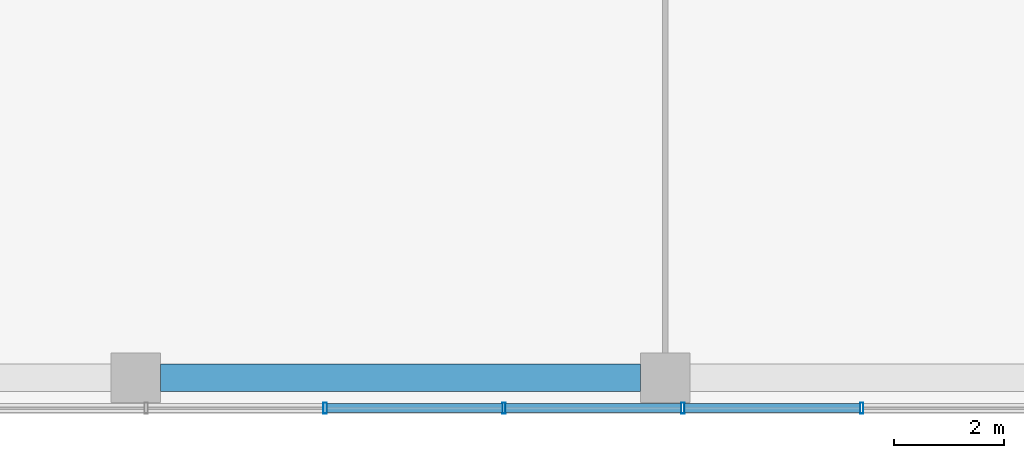
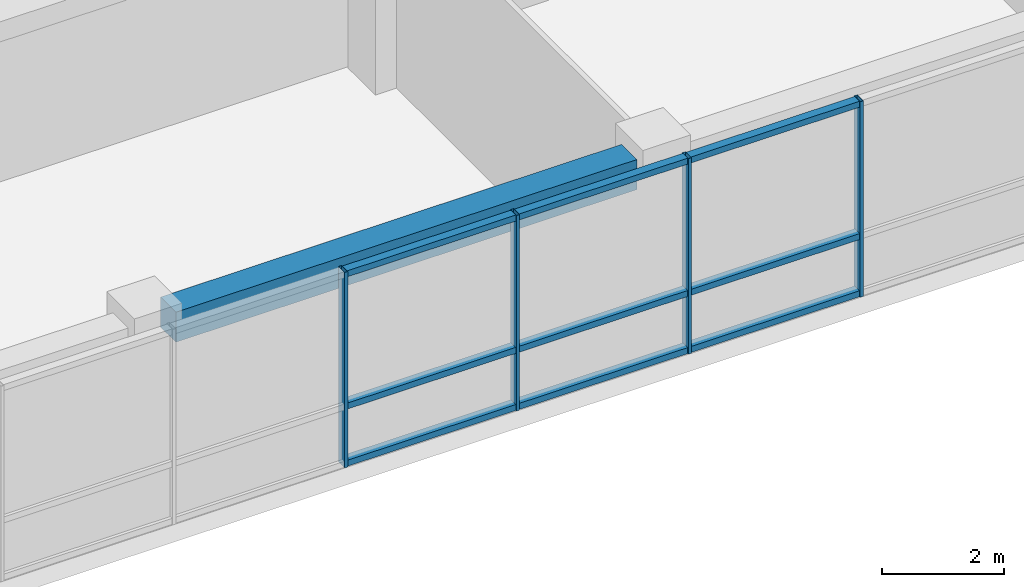
# One storey, part 11 of 72: 13 members, 1 beam, 1 element without a shape of its own.
"""IFC4 building model written with IfcOpenShell, lengths in metres."""

from ifc_helpers import new_model, si_unit, direction, frame, origin, origin_2d, place, context, subcontext, project, spatial, rectangle, hollow_rectangle, extrude, material, layer, layer_set, material_profile, profile_set, type_object, element, aggregate, save


model = new_model("IFC4")

# Units and contexts
model_context = context("Model", 3, precision=1e-05, world=origin(), true_north=direction((0.0, 1.0)))
body_context = subcontext(model_context, "Body", "Model", "MODEL_VIEW")
ifc_project = project(units=[si_unit("LENGTHUNIT", "METRE"), si_unit("AREAUNIT", "SQUARE_METRE"), si_unit("VOLUMEUNIT", "CUBIC_METRE"), si_unit("PLANEANGLEUNIT", "RADIAN"), si_unit("MASSUNIT", "GRAM", prefix="KILO")], contexts=[model_context])

# Site, building, storey
site_placement = place(None, origin())
site = spatial("IfcSite", under=ifc_project, at=site_placement, CompositionType="ELEMENT")
building_placement = place(site_placement, origin())
building = spatial("IfcBuilding", under=site, at=building_placement, Name="Nzadi Deep Aquarium and Research Tower", CompositionType="ELEMENT")
storey_placement = place(building_placement, frame((0.0, 0.0, 31.89990234375)))
storey = spatial("IfcBuildingStorey", under=building, at=storey_placement, Name="L05", CompositionType="ELEMENT", Elevation=31.89990234375)

# Curtain wall, members
ifc_material_1 = material(Name="Aluminium unitised frame", Category="aluminium")
ifc_layer = layer(ifc_material_1, 0.199951171875)
ifc_layer_set = layer_set([ifc_layer], Name="Aluminium unitised frame")
curtain_wall_type = type_object("IfcCurtainWallType", Name="Curtain wall Unitised 200", PredefinedType="NOTDEFINED", material=ifc_layer_set)
curtain_wall_placement = place(storey_placement, origin())
curtain_wall = element("IfcCurtainWall", 1, at=curtain_wall_placement, inside=storey, type_object=curtain_wall_type, Name="Unitised curtain wall blade A south L05", PredefinedType="NOTDEFINED")
ifc_material_2 = material(Name="Aluminium unitised frame", Category="aluminium")
ifc_material_profile_1 = material_profile(ifc_material_2, hollow_rectangle(XDim=0.199951171875, YDim=0.06005859375, WallThickness=0.0048828125, at=origin_2d()))
ifc_profile_set_1 = profile_set([ifc_material_profile_1], Name="Aluminium unitised frame")
member_type_1 = type_object("IfcMemberType", Name="Mullion 60x200 Unitised", PredefinedType="MULLION", material=ifc_profile_set_1)
member_1_placement = place(storey_placement, frame((32.2333984375, -0.10009765625, 0.0), z_axis=(0.0, 0.0, 1.0), x_axis=(0.0, 1.0, 0.0)))
member_1 = element("IfcMember", 2, at=member_1_placement, type_object=member_type_1, Name="CW001 mullion 11", PredefinedType="MULLION", context=body_context, shape_type="SweptSolid", body=[
    extrude(hollow_rectangle(XDim=0.199951171875, YDim=0.06005859375, WallThickness=0.0048828125, at=origin_2d()), origin(), (0.0, 0.0, 1.0), 3.900146484375),
])
member_2_placement = place(storey_placement, frame((35.4765625, -0.10009765625, 0.0), z_axis=(0.0, 0.0, 1.0), x_axis=(0.0, 1.0, 0.0)))
member_2 = element("IfcMember", 3, at=member_2_placement, type_object=member_type_1, Name="CW001 mullion 12", PredefinedType="MULLION", context=body_context, shape_type="SweptSolid", body=[
    extrude(hollow_rectangle(XDim=0.199951171875, YDim=0.06005859375, WallThickness=0.0048828125, at=origin_2d()), origin(), (0.0, 0.0, 1.0), 3.900146484375),
])
member_3_placement = place(storey_placement, frame((38.719970703125, -0.10009765625, 0.0), z_axis=(0.0, 0.0, 1.0), x_axis=(0.0, 1.0, 0.0)))
member_3 = element("IfcMember", 4, at=member_3_placement, type_object=member_type_1, Name="CW001 mullion 13", PredefinedType="MULLION", context=body_context, shape_type="SweptSolid", body=[
    extrude(hollow_rectangle(XDim=0.199951171875, YDim=0.06005859375, WallThickness=0.0048828125, at=origin_2d()), origin(), (0.0, 0.0, 1.0), 3.900146484375),
])
member_4_placement = place(storey_placement, frame((41.96337890625, -0.10009765625, 0.0), z_axis=(0.0, 0.0, 1.0), x_axis=(0.0, 1.0, 0.0)))
member_4 = element("IfcMember", 5, at=member_4_placement, type_object=member_type_1, Name="CW001 mullion 14", PredefinedType="MULLION", context=body_context, shape_type="SweptSolid", body=[
    extrude(hollow_rectangle(XDim=0.199951171875, YDim=0.06005859375, WallThickness=0.0048828125, at=origin_2d()), origin(), (0.0, 0.0, 1.0), 3.900146484375),
])

# Beam
ifc_material_3 = material(Name="Concrete C35/45", Category="concrete")
ifc_material_profile_2 = material_profile(ifc_material_3, rectangle(XDim=0.5, YDim=0.60009765625, at=origin_2d()))
ifc_profile_set_2 = profile_set([ifc_material_profile_2], Name="Concrete C35/45")
beam_type = type_object("IfcBeamType", Name="RC 500x600", PredefinedType="BEAM", material=ifc_profile_set_2)
beam_placement = place(storey_placement, frame((29.25, 0.449951171875, 3.60009765625), z_axis=(1.0, 0.0, 0.0), x_axis=(0.0, 1.0, 0.0)))
element("IfcBeam", 6, at=beam_placement, inside=storey, type_object=beam_type, Name="B-Z1-L05-L1-4", PredefinedType="BEAM", context=body_context, shape_type="SweptSolid", body=[
    extrude(rectangle(XDim=0.5, YDim=0.60009765625, at=origin_2d()), origin(), (0.0, 0.0, 1.0), 8.699951171875),
])

# Member
ifc_material_4 = material(Name="Aluminium unitised frame", Category="aluminium")
ifc_material_profile_3 = material_profile(ifc_material_4, hollow_rectangle(XDim=0.159912109375, YDim=0.1201171875, WallThickness=0.0048828125, at=origin_2d()))
ifc_profile_set_3 = profile_set([ifc_material_profile_3], Name="Aluminium unitised frame")
member_type_2 = type_object("IfcMemberType", Name="Transom 120x160 Unitised", PredefinedType="MULLION", material=ifc_profile_set_3)
member_5_placement = place(storey_placement, frame((32.263427734375, -0.10009765625, 0.06005859375), z_axis=(1.0, 0.0, 0.0), x_axis=(0.0, 1.0, 0.0)))
member_5 = element("IfcMember", 7, at=member_5_placement, type_object=member_type_2, Name="CW001 transom 11.1", PredefinedType="MULLION", context=body_context, shape_type="SweptSolid", body=[
    extrude(hollow_rectangle(XDim=0.159912109375, YDim=0.1201171875, WallThickness=0.0048828125, at=origin_2d()), origin(), (0.0, 0.0, 1.0), 3.183349609375),
])

member_6_placement = place(storey_placement, frame((32.263427734375, -0.10009765625, 1.2001953125), z_axis=(1.0, 0.0, 0.0), x_axis=(0.0, 1.0, 0.0)))
member_6 = element("IfcMember", 8, at=member_6_placement, type_object=member_type_2, Name="CW001 transom 11.2", PredefinedType="MULLION", context=body_context, shape_type="SweptSolid", body=[
    extrude(hollow_rectangle(XDim=0.159912109375, YDim=0.1201171875, WallThickness=0.0048828125, at=origin_2d()), origin(), (0.0, 0.0, 1.0), 3.183349609375),
])

member_7_placement = place(storey_placement, frame((32.263427734375, -0.10009765625, 3.840087890625), z_axis=(1.0, 0.0, 0.0), x_axis=(0.0, 1.0, 0.0)))
member_7 = element("IfcMember", 9, at=member_7_placement, type_object=member_type_2, Name="CW001 transom 11.3", PredefinedType="MULLION", context=body_context, shape_type="SweptSolid", body=[
    extrude(hollow_rectangle(XDim=0.159912109375, YDim=0.1201171875, WallThickness=0.0048828125, at=origin_2d()), origin(), (0.0, 0.0, 1.0), 3.183349609375),
])

member_8_placement = place(storey_placement, frame((35.506591796875, -0.10009765625, 0.06005859375), z_axis=(1.0, 0.0, 0.0), x_axis=(0.0, 1.0, 0.0)))
member_8 = element("IfcMember", 10, at=member_8_placement, type_object=member_type_2, Name="CW001 transom 12.1", PredefinedType="MULLION", context=body_context, shape_type="SweptSolid", body=[
    extrude(hollow_rectangle(XDim=0.159912109375, YDim=0.1201171875, WallThickness=0.0048828125, at=origin_2d()), origin(), (0.0, 0.0, 1.0), 3.183349609375),
])

member_9_placement = place(storey_placement, frame((35.506591796875, -0.10009765625, 1.2001953125), z_axis=(1.0, 0.0, 0.0), x_axis=(0.0, 1.0, 0.0)))
member_9 = element("IfcMember", 11, at=member_9_placement, type_object=member_type_2, Name="CW001 transom 12.2", PredefinedType="MULLION", context=body_context, shape_type="SweptSolid", body=[
    extrude(hollow_rectangle(XDim=0.159912109375, YDim=0.1201171875, WallThickness=0.0048828125, at=origin_2d()), origin(), (0.0, 0.0, 1.0), 3.183349609375),
])

member_10_placement = place(storey_placement, frame((35.506591796875, -0.10009765625, 3.840087890625), z_axis=(1.0, 0.0, 0.0), x_axis=(0.0, 1.0, 0.0)))
member_10 = element("IfcMember", 12, at=member_10_placement, type_object=member_type_2, Name="CW001 transom 12.3", PredefinedType="MULLION", context=body_context, shape_type="SweptSolid", body=[
    extrude(hollow_rectangle(XDim=0.159912109375, YDim=0.1201171875, WallThickness=0.0048828125, at=origin_2d()), origin(), (0.0, 0.0, 1.0), 3.183349609375),
])

member_11_placement = place(storey_placement, frame((38.75, -0.10009765625, 0.06005859375), z_axis=(1.0, 0.0, 0.0), x_axis=(0.0, 1.0, 0.0)))
member_11 = element("IfcMember", 13, at=member_11_placement, type_object=member_type_2, Name="CW001 transom 13.1", PredefinedType="MULLION", context=body_context, shape_type="SweptSolid", body=[
    extrude(hollow_rectangle(XDim=0.159912109375, YDim=0.1201171875, WallThickness=0.0048828125, at=origin_2d()), origin(), (0.0, 0.0, 1.0), 3.183349609375),
])

member_12_placement = place(storey_placement, frame((38.75, -0.10009765625, 1.2001953125), z_axis=(1.0, 0.0, 0.0), x_axis=(0.0, 1.0, 0.0)))
member_12 = element("IfcMember", 14, at=member_12_placement, type_object=member_type_2, Name="CW001 transom 13.2", PredefinedType="MULLION", context=body_context, shape_type="SweptSolid", body=[
    extrude(hollow_rectangle(XDim=0.159912109375, YDim=0.1201171875, WallThickness=0.0048828125, at=origin_2d()), origin(), (0.0, 0.0, 1.0), 3.183349609375),
])

member_13_placement = place(storey_placement, frame((38.75, -0.10009765625, 3.840087890625), z_axis=(1.0, 0.0, 0.0), x_axis=(0.0, 1.0, 0.0)))
member_13 = element("IfcMember", 15, at=member_13_placement, type_object=member_type_2, Name="CW001 transom 13.3", PredefinedType="MULLION", context=body_context, shape_type="SweptSolid", body=[
    extrude(hollow_rectangle(XDim=0.159912109375, YDim=0.1201171875, WallThickness=0.0048828125, at=origin_2d()), origin(), (0.0, 0.0, 1.0), 3.183349609375),
])

aggregate(curtain_wall, [member_1, member_2, member_3, member_4, member_5, member_6, member_7, member_8, member_9, member_10, member_11, member_12, member_13])

save(model, "model.ifc")
